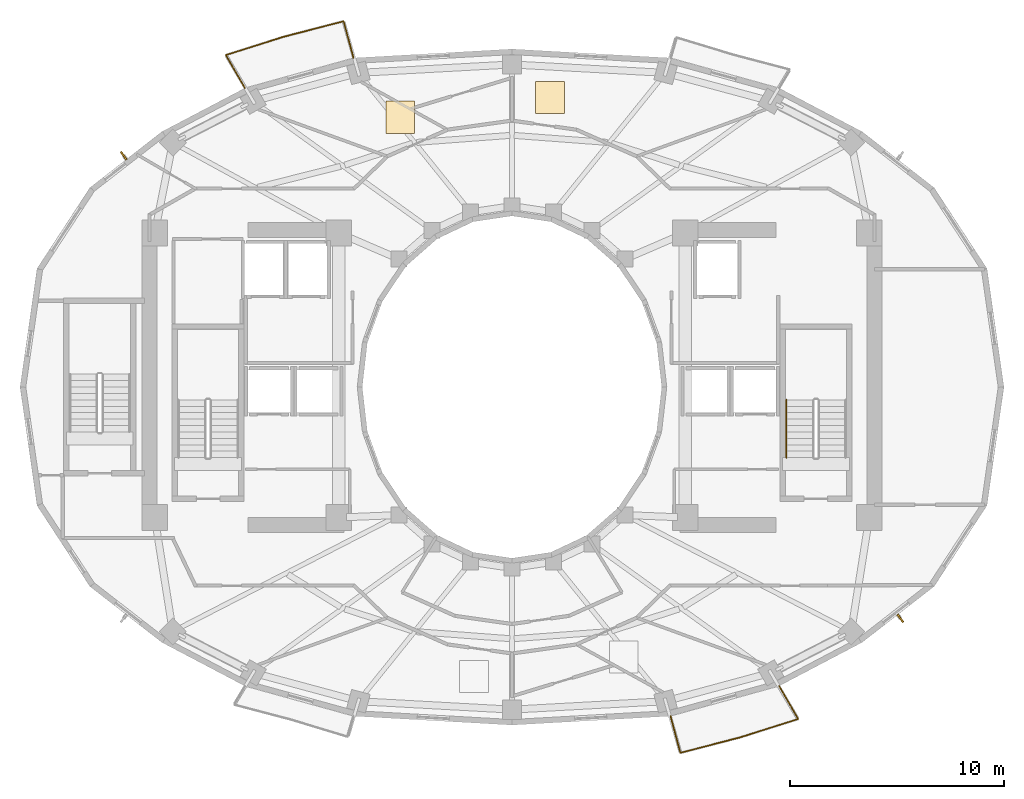
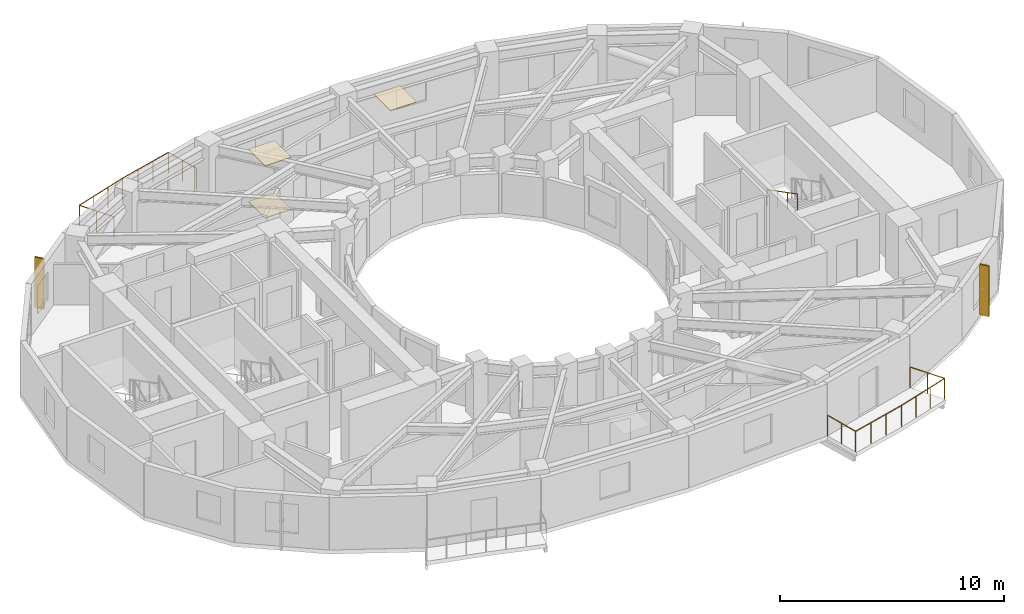
# One storey, part 9 of 10: 3 coverings, 3 railings, 2 shading devices.
"""IFC4 building model written with IfcOpenShell, lengths in metres."""

from ifc_helpers import new_model, si_unit, direction, frame, origin, origin_2d, place, context, subcontext, project, spatial, polyline, rectangle, circle, outline, extrude, material, layer, layer_set, type_object, element, save


model = new_model("IFC4")

# Units and contexts
model_context = context("Model", 3, precision=1e-05, world=origin(), true_north=direction((0.0, 1.0)))
body_context = subcontext(model_context, "Body", "Model", "MODEL_VIEW")
ifc_project = project(units=[si_unit("LENGTHUNIT", "METRE"), si_unit("AREAUNIT", "SQUARE_METRE"), si_unit("VOLUMEUNIT", "CUBIC_METRE"), si_unit("PLANEANGLEUNIT", "RADIAN"), si_unit("MASSUNIT", "GRAM", prefix="KILO")], contexts=[model_context])

# Site, building, storey
site_placement = place(None, origin())
site = spatial("IfcSite", under=ifc_project, at=site_placement, CompositionType="ELEMENT")
building_placement = place(site_placement, origin())
building = spatial("IfcBuilding", under=site, at=building_placement, Name="Solvane Sanctuary Tower", CompositionType="ELEMENT")
storey_placement = place(building_placement, frame((0.0, 0.0, 165.300048828125)))
storey = spatial("IfcBuildingStorey", under=building, at=storey_placement, Name="L50", CompositionType="ELEMENT", Elevation=165.300048828125)

# Coverings
ifc_material_1 = material(Name="Acoustic Gypsum Partition Board")
ifc_layer_1 = layer(ifc_material_1, 0.02490234375, Name="Acoustic Gypsum Partition Board")
ifc_layer_set_1 = layer_set([ifc_layer_1], Name="Acoustic Gypsum Partition Board")
covering_type_1 = type_object("IfcCoveringType", Name="Covering CLG-ACOUST", PredefinedType="CEILING", material=ifc_layer_set_1)
covering_1_placement = place(storey_placement, frame((0.0, 0.0, 2.849853515625)))
element("IfcCovering", 1, at=covering_1_placement, inside=storey, type_object=covering_type_1, Name="L50 Unit Acoustic Ceiling Panel 1", PredefinedType="CEILING", context=body_context, shape_type="SweptSolid", body=[
    extrude(outline(polyline([(33.10693359375, 35.782958984375), (34.45703125, 35.782958984375), (34.45703125, 37.282958984375), (33.10693359375, 37.282958984375), (33.10693359375, 35.782958984375)])), origin(), (0.0, 0.0, 1.0), 0.030029296875),
])
covering_2_placement = place(storey_placement, frame((0.0, 0.0, 2.849853515625)))
element("IfcCovering", 2, at=covering_2_placement, inside=storey, type_object=covering_type_1, Name="L50 Unit Acoustic Ceiling Panel 2", PredefinedType="CEILING", context=body_context, shape_type="SweptSolid", body=[
    extrude(outline(polyline([(26.10107421875, 34.861083984375), (27.450927734375, 34.861083984375), (27.450927734375, 36.361083984375), (26.10107421875, 36.361083984375), (26.10107421875, 34.861083984375)])), origin(), (0.0, 0.0, 1.0), 0.030029296875),
])
ifc_material_2 = material(Name="Ceramic Tile Finish")
ifc_layer_2 = layer(ifc_material_2, 0.030029296875, Name="Ceramic Tile Finish")
ifc_layer_set_2 = layer_set([ifc_layer_2], Name="Ceramic Tile Finish")
covering_type_2 = type_object("IfcCoveringType", Name="Covering FLR-TERRAZZO", PredefinedType="FLOORING", material=ifc_layer_set_2)
covering_3_placement = place(storey_placement, origin())
element("IfcCovering", 3, at=covering_3_placement, inside=storey, type_object=covering_type_2, Name="L50 Unit Terrazzo Inlay 2", PredefinedType="FLOORING", context=body_context, shape_type="SweptSolid", body=[
    extrude(outline(polyline([(26.10107421875, 34.861083984375), (27.450927734375, 34.861083984375), (27.450927734375, 36.361083984375), (26.10107421875, 36.361083984375), (26.10107421875, 34.861083984375)])), origin(), (0.0, 0.0, 1.0), 0.034912109375),
])

# Railings
ifc_material_3 = material(Name="Architectural Stainless Steel 316", Category="steel")
railing_type_1 = type_object("IfcRailingType", Name="Railing GR-BALC-1150", PredefinedType="BALUSTRADE", material=ifc_material_3)
railing_1_placement = place(storey_placement, frame((24.589599609375, 38.3818359375, 0.0)))
element("IfcRailing", 4, at=railing_1_placement, inside=storey, type_object=railing_type_1, Name="L50 Wave Balcony Balustrade N2", PredefinedType="BALUSTRADE", context=body_context, shape_type="SweptSolid", body=[
    extrude(circle(Radius=0.02392578125, at=origin_2d()), frame((0.0, 0.0, 1.1259765625), z_axis=(-0.258866368976, 0.965913144653, 0.0), x_axis=(-0.965913144653, -0.258866368976, 0.0)), (0.0, 0.0, 1.0), 1.779541015625),
    extrude(circle(Radius=0.02392578125, at=origin_2d()), frame((-0.460693359375, 1.718994140625, 1.1259765625), z_axis=(-0.967997662286, -0.250959211445, 0.0), x_axis=(0.250959211445, -0.967997662286, 0.0)), (0.0, 0.0, 1.0), 2.874755859375),
    extrude(circle(Radius=0.02392578125, at=origin_2d()), frame((-3.243408203125, 0.99755859375, 1.1259765625), z_axis=(-0.953529716145, -0.301298988429, 0.0), x_axis=(0.301298988429, -0.953529716145, 0.0)), (0.0, 0.0, 1.0), 2.85791015625),
    extrude(circle(Radius=0.02392578125, at=origin_2d()), frame((-5.968505859375, 0.136474609375, 1.1259765625), z_axis=(0.500078724409, -0.865979947454, 0.0), x_axis=(0.865979947454, 0.500078724409, 0.0)), (0.0, 0.0, 1.0), 1.779541015625),
    extrude(circle(Radius=0.02099609375, at=origin_2d()), origin(), (0.0, 0.0, 1.0), 1.101806640625),
    extrude(circle(Radius=0.02099609375, at=origin_2d()), frame((-0.23046875, 0.859375, 0.0)), (0.0, 0.0, 1.0), 1.101806640625),
    extrude(circle(Radius=0.02099609375, at=origin_2d()), frame((-0.460693359375, 1.718994140625, 0.0)), (0.0, 0.0, 1.0), 1.101806640625),
    extrude(circle(Radius=0.02099609375, at=origin_2d()), frame((-1.38818359375, 1.478515625, 0.0)), (0.0, 0.0, 1.0), 1.101806640625),
    extrude(circle(Radius=0.02099609375, at=origin_2d()), frame((-2.31591796875, 1.238037109375, 0.0)), (0.0, 0.0, 1.0), 1.101806640625),
    extrude(circle(Radius=0.02099609375, at=origin_2d()), frame((-3.243408203125, 0.99755859375, 0.0)), (0.0, 0.0, 1.0), 1.101806640625),
    extrude(circle(Radius=0.02099609375, at=origin_2d()), frame((-4.15185546875, 0.71044921875, 0.0)), (0.0, 0.0, 1.0), 1.101806640625),
    extrude(circle(Radius=0.02099609375, at=origin_2d()), frame((-5.06005859375, 0.423583984375, 0.0)), (0.0, 0.0, 1.0), 1.101806640625),
    extrude(circle(Radius=0.02099609375, at=origin_2d()), frame((-5.968505859375, 0.136474609375, 0.0)), (0.0, 0.0, 1.0), 1.101806640625),
    extrude(circle(Radius=0.02099609375, at=origin_2d()), frame((-5.5234375, -0.634033203125, 0.0)), (0.0, 0.0, 1.0), 1.101806640625),
    extrude(circle(Radius=0.02099609375, at=origin_2d()), frame((-5.07861328125, -1.404541015625, 0.0)), (0.0, 0.0, 1.0), 1.101806640625),
])
railing_2_placement = place(storey_placement, frame((39.410400390625, 7.6181640625, 0.0)))
element("IfcRailing", 5, at=railing_2_placement, inside=storey, type_object=railing_type_1, Name="L50 Wave Balcony Balustrade S2", PredefinedType="BALUSTRADE", context=body_context, shape_type="SweptSolid", body=[
    extrude(circle(Radius=0.02392578125, at=origin_2d()), frame((0.0, 0.0, 1.1259765625), z_axis=(0.258866368976, -0.965913144653, 0.0), x_axis=(0.965913144653, 0.258866368976, 0.0)), (0.0, 0.0, 1.0), 1.779541015625),
    extrude(circle(Radius=0.02392578125, at=origin_2d()), frame((0.460693359375, -1.718994140625, 1.1259765625), z_axis=(0.967997662286, 0.250959211445, 0.0), x_axis=(-0.250959211445, 0.967997662286, 0.0)), (0.0, 0.0, 1.0), 2.874755859375),
    extrude(circle(Radius=0.02392578125, at=origin_2d()), frame((3.243408203125, -0.99755859375, 1.1259765625), z_axis=(0.953529716145, 0.301298988429, 0.0), x_axis=(-0.301298988429, 0.953529716145, 0.0)), (0.0, 0.0, 1.0), 2.85791015625),
    extrude(circle(Radius=0.02392578125, at=origin_2d()), frame((5.968505859375, -0.136474609375, 1.1259765625), z_axis=(-0.500078724409, 0.865979947454, 0.0), x_axis=(-0.865979947454, -0.500078724409, 0.0)), (0.0, 0.0, 1.0), 1.779541015625),
    extrude(circle(Radius=0.02099609375, at=origin_2d()), origin(), (0.0, 0.0, 1.0), 1.101806640625),
    extrude(circle(Radius=0.02099609375, at=origin_2d()), frame((0.23046875, -0.859375, 0.0)), (0.0, 0.0, 1.0), 1.101806640625),
    extrude(circle(Radius=0.02099609375, at=origin_2d()), frame((0.460693359375, -1.718994140625, 0.0)), (0.0, 0.0, 1.0), 1.101806640625),
    extrude(circle(Radius=0.02099609375, at=origin_2d()), frame((1.38818359375, -1.478515625, 0.0)), (0.0, 0.0, 1.0), 1.101806640625),
    extrude(circle(Radius=0.02099609375, at=origin_2d()), frame((2.31591796875, -1.238037109375, 0.0)), (0.0, 0.0, 1.0), 1.101806640625),
    extrude(circle(Radius=0.02099609375, at=origin_2d()), frame((3.243408203125, -0.99755859375, 0.0)), (0.0, 0.0, 1.0), 1.101806640625),
    extrude(circle(Radius=0.02099609375, at=origin_2d()), frame((4.15185546875, -0.71044921875, 0.0)), (0.0, 0.0, 1.0), 1.101806640625),
    extrude(circle(Radius=0.02099609375, at=origin_2d()), frame((5.06005859375, -0.423583984375, 0.0)), (0.0, 0.0, 1.0), 1.101806640625),
    extrude(circle(Radius=0.02099609375, at=origin_2d()), frame((5.968505859375, -0.136474609375, 0.0)), (0.0, 0.0, 1.0), 1.101806640625),
    extrude(circle(Radius=0.02099609375, at=origin_2d()), frame((5.5234375, 0.634033203125, 0.0)), (0.0, 0.0, 1.0), 1.101806640625),
    extrude(circle(Radius=0.02099609375, at=origin_2d()), frame((5.07861328125, 1.404541015625, 0.0)), (0.0, 0.0, 1.0), 1.101806640625),
])
railing_type_2 = type_object("IfcRailingType", Name="Railing HR-STAIR-920", PredefinedType="HANDRAIL", material=ifc_material_3)
railing_3_placement = place(storey_placement, frame((44.830078125, 22.39990234375, 1.704833984375)))
element("IfcRailing", 6, at=railing_3_placement, inside=storey, type_object=railing_type_2, Name="L50 ST-2 stair handrail 2", PredefinedType="HANDRAIL", context=body_context, shape_type="SweptSolid", body=[
    extrude(circle(Radius=0.02392578125, at=origin_2d()), frame((0.0, 0.0, 0.8759765625), z_axis=(0.0, -0.888419900624, 0.459031676658), x_axis=(1.0, 0.0, 0.0)), (0.0, 0.0, 1.0), 3.0390625),
    extrude(circle(Radius=0.02099609375, at=origin_2d()), origin(), (0.0, 0.0, 1.0), 0.851806640625),
    extrude(circle(Radius=0.02099609375, at=origin_2d()), frame((0.0, -0.89990234375, 0.465087890625)), (0.0, 0.0, 1.0), 0.851806640625),
    extrude(circle(Radius=0.02099609375, at=origin_2d()), frame((0.0, -1.800048828125, 0.929931640625)), (0.0, 0.0, 1.0), 0.851806640625),
    extrude(circle(Radius=0.02099609375, at=origin_2d()), frame((0.0, -2.699951171875, 1.39501953125)), (0.0, 0.0, 1.0), 0.851806640625),
])

# Shading devices
ifc_material_4 = material(Name="Anodised Aluminium 6063-T6", Category="aluminium")
ifc_layer_3 = layer(ifc_material_4, 0.080078125, Name="Anodised Aluminium 6063-T6")
ifc_layer_set_3 = layer_set([ifc_layer_3], Name="Anodised Aluminium 6063-T6")
shading_device_type = type_object("IfcShadingDeviceType", Name="Shading SHD-FIN", PredefinedType="USERDEFINED", material=ifc_layer_set_3)
for number, where, z_axis, x_axis, name in (
    (7, (13.847412109375, 33.811279296875, 0.050048828125), (0.0, 0.0, 1.0), (-0.790165709501, -0.612893262753, 0.0), "L50 Aerodynamic Vertical Fin 09"),
    (8, (50.152587890625, 12.188720703125, 0.050048828125), (0.0, 0.0, 1.0), (0.790165709501, 0.612893262753, 0.0), "L50 Aerodynamic Vertical Fin 21"),
):
    element("IfcShadingDevice", number, at=place(storey_placement, frame(where, z_axis=z_axis, x_axis=x_axis)), inside=storey, type_object=shading_device_type, Name=name, ObjectType="FIN", PredefinedType="USERDEFINED", context=body_context, shape_type="SweptSolid", body=[
        extrude(rectangle(XDim=0.080078125, YDim=0.449951171875, at=origin_2d()), origin(), (0.0, 0.0, 1.0), 2.75),
    ])

save(model, "model.ifc")
